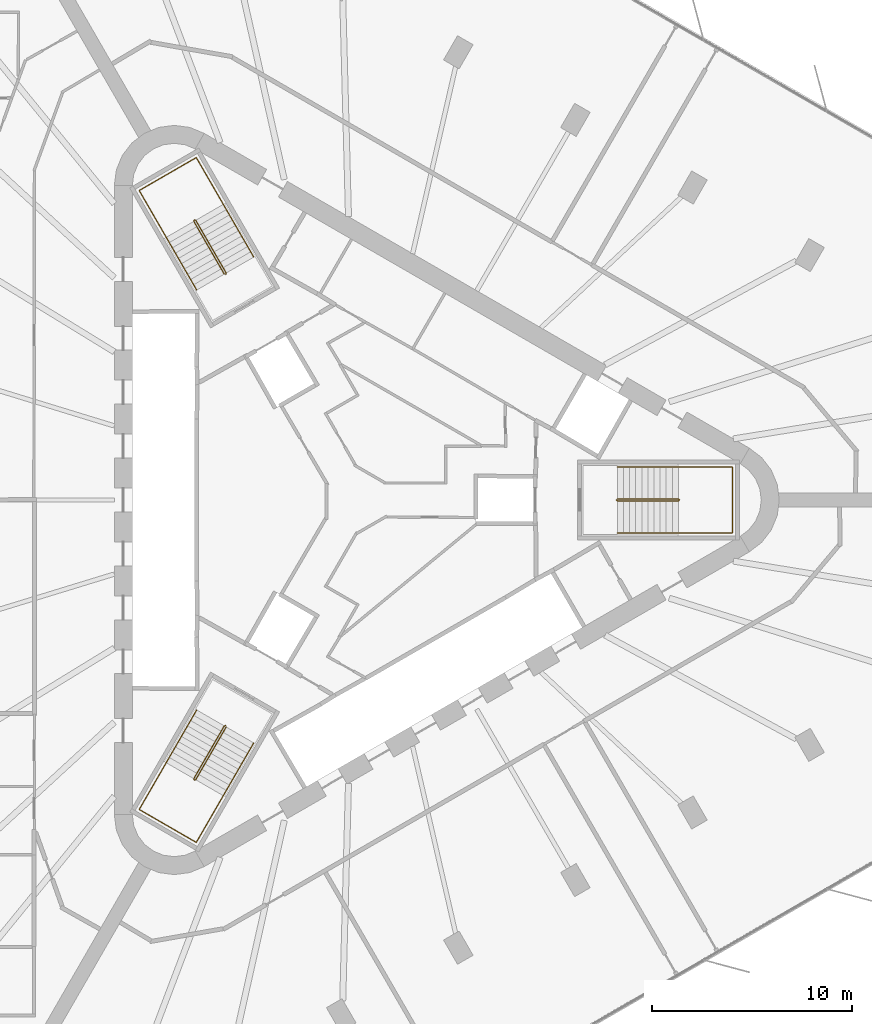
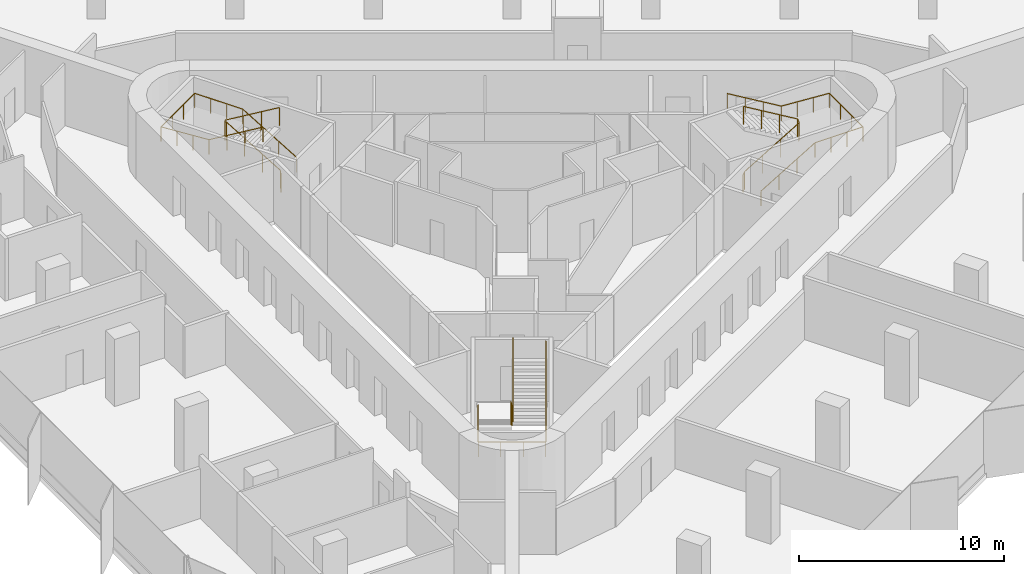
# One storey, part 14 of 14: 6 railings.
"""IFC4 building model written with IfcOpenShell, lengths in metres."""

from ifc_helpers import new_model, si_unit, direction, frame, origin, origin_2d, place, context, subcontext, project, spatial, circle, extrude, material, type_object, element, save


model = new_model("IFC4")

# Units and contexts
model_context = context("Model", 3, precision=1e-05, world=origin(), true_north=direction((0.0, 1.0)))
body_context = subcontext(model_context, "Body", "Model", "MODEL_VIEW")
ifc_project = project(units=[si_unit("LENGTHUNIT", "METRE"), si_unit("AREAUNIT", "SQUARE_METRE"), si_unit("VOLUMEUNIT", "CUBIC_METRE"), si_unit("PLANEANGLEUNIT", "RADIAN"), si_unit("MASSUNIT", "GRAM", prefix="KILO")], contexts=[model_context])

# Site, building, storey
site_placement = place(None, origin())
site = spatial("IfcSite", under=ifc_project, at=site_placement, CompositionType="ELEMENT")
building_placement = place(site_placement, origin())
building = spatial("IfcBuilding", under=site, at=building_placement, Name="Tanit Gate Tower", CompositionType="ELEMENT")
storey_placement = place(building_placement, frame((0.0, 0.0, 229.199951171875)))
storey = spatial("IfcBuildingStorey", under=building, at=storey_placement, Name="L51", CompositionType="ELEMENT", Elevation=229.199951171875)

# Railings
ifc_material_1 = material(Name="Stainless steel balustrade", Category="steel")
railing_type_1 = type_object("IfcRailingType", Name="INT-STAIR-GUARD", PredefinedType="GUARDRAIL", material=ifc_material_1)
railing_1_placement = place(storey_placement, frame((13.044921875, 0.0048828125, 0.0)))
element("IfcRailing", 1, at=railing_1_placement, inside=storey, type_object=railing_type_1, Name="L51 S1 stair guard 1", PredefinedType="GUARDRAIL", context=body_context, shape_type="SweptSolid", body=[
    extrude(circle(Radius=0.02392578125, at=origin_2d()), frame((0.0, 0.0, 1.076171875), z_axis=(0.0, -1.0, 0.0), x_axis=(1.0, 0.0, 0.0)), (0.0, 0.0, 1.0), 0.009765625),
    extrude(circle(Radius=0.02392578125, at=origin_2d()), frame((0.0, -0.009765625, 1.076171875), z_axis=(0.256435381639, -0.256435381639, 0.931923704005), x_axis=(0.707106781187, 0.707106781187, 0.0)), (0.0, 0.0, 1.0), 0.195068359375),
    extrude(circle(Radius=0.02392578125, at=origin_2d()), frame((0.050048828125, -0.059814453125, 1.2578125), z_axis=(0.859041732319, 0.0, 0.511905559781), x_axis=(0.0, 1.0, 0.0)), (0.0, 0.0, 1.0), 3.5517578125),
    extrude(circle(Radius=0.02392578125, at=origin_2d()), frame((3.10107421875, -0.059814453125, 3.076171875), z_axis=(0.707106781187, 0.707106781187, 0.0), x_axis=(-0.707106781187, 0.707106781187, 0.0)), (0.0, 0.0, 1.0), 0.07080078125),
    extrude(circle(Radius=0.02392578125, at=origin_2d()), frame((3.151123046875, -0.009765625, 3.076171875), z_axis=(0.0, 1.0, 0.0), x_axis=(-1.0, 0.0, 0.0)), (0.0, 0.0, 1.0), 0.009765625),
    extrude(circle(Radius=0.02392578125, at=origin_2d()), frame((3.151123046875, 0.0, 3.076171875), z_axis=(-0.256435381639, 0.256435381639, 0.931923704005), x_axis=(-0.707106781187, -0.707106781187, 0.0)), (0.0, 0.0, 1.0), 0.195068359375),
    extrude(circle(Radius=0.02392578125, at=origin_2d()), frame((3.10107421875, 0.050048828125, 3.2578125), z_axis=(-0.859041732319, 0.0, 0.511905559781), x_axis=(0.0, -1.0, 0.0)), (0.0, 0.0, 1.0), 3.5517578125),
    extrude(circle(Radius=0.02099609375, at=origin_2d()), origin(), (0.0, 0.0, 1.0), 1.052001953125),
    extrude(circle(Radius=0.02099609375, at=origin_2d()), frame((0.0, -0.009765625, 0.0)), (0.0, 0.0, 1.0), 1.052001953125),
    extrude(circle(Radius=0.02099609375, at=origin_2d()), frame((0.050048828125, -0.059814453125, 0.181884765625)), (0.0, 0.0, 1.0), 1.052001953125),
    extrude(circle(Radius=0.02099609375, at=origin_2d()), frame((1.067138671875, -0.059814453125, 0.787841796875)), (0.0, 0.0, 1.0), 1.052001953125),
    extrude(circle(Radius=0.02099609375, at=origin_2d()), frame((2.083984375, -0.059814453125, 1.39404296875)), (0.0, 0.0, 1.0), 1.052001953125),
    extrude(circle(Radius=0.02099609375, at=origin_2d()), frame((3.10107421875, -0.059814453125, 2.0)), (0.0, 0.0, 1.0), 1.052001953125),
    extrude(circle(Radius=0.02099609375, at=origin_2d()), frame((3.151123046875, -0.009765625, 2.0)), (0.0, 0.0, 1.0), 1.052001953125),
    extrude(circle(Radius=0.02099609375, at=origin_2d()), frame((3.151123046875, 0.0, 2.0)), (0.0, 0.0, 1.0), 1.052001953125),
    extrude(circle(Radius=0.02099609375, at=origin_2d()), frame((3.10107421875, 0.050048828125, 2.181884765625)), (0.0, 0.0, 1.0), 1.052001953125),
    extrude(circle(Radius=0.02099609375, at=origin_2d()), frame((2.083984375, 0.050048828125, 2.787841796875)), (0.0, 0.0, 1.0), 1.052001953125),
    extrude(circle(Radius=0.02099609375, at=origin_2d()), frame((1.067138671875, 0.050048828125, 3.39404296875)), (0.0, 0.0, 1.0), 1.052001953125),
    extrude(circle(Radius=0.02099609375, at=origin_2d()), frame((0.050048828125, 0.050048828125, 4.0)), (0.0, 0.0, 1.0), 1.052001953125),
])
railing_2_placement = place(storey_placement, frame((-6.527099609375, 11.29345703125, 0.0)))
element("IfcRailing", 2, at=railing_2_placement, inside=storey, type_object=railing_type_1, Name="L51 S2 stair guard 1", PredefinedType="GUARDRAIL", context=body_context, shape_type="SweptSolid", body=[
    extrude(circle(Radius=0.02392578125, at=origin_2d()), frame((0.0, 0.0, 1.076171875), z_axis=(0.868243142124, 0.496138938357, 0.0), x_axis=(-0.496138938357, 0.868243142124, 0.0)), (0.0, 0.0, 1.0), 0.01171875),
    extrude(circle(Radius=0.02392578125, at=origin_2d()), frame((0.01025390625, 0.005859375, 1.076171875), z_axis=(0.093819657636, 0.350260055175, 0.93194193252), x_axis=(-0.965948051503, 0.258736085224, 0.0)), (0.0, 0.0, 1.0), 0.195068359375),
    extrude(circle(Radius=0.02392578125, at=origin_2d()), frame((0.028564453125, 0.07421875, 1.2578125), z_axis=(-0.429472220917, 0.743822504634, 0.512134448226), x_axis=(-0.866012246495, -0.500022788402, 0.0)), (0.0, 0.0, 1.0), 3.550048828125),
    extrude(circle(Radius=0.02392578125, at=origin_2d()), frame((-1.49609375, 2.71484375, 3.076171875), z_axis=(-0.965715946433, 0.259601060869, 0.0), x_axis=(-0.259601060869, -0.965715946433, 0.0)), (0.0, 0.0, 1.0), 0.070556640625),
    extrude(circle(Radius=0.02392578125, at=origin_2d()), frame((-1.564208984375, 2.733154296875, 3.076171875), z_axis=(-0.873197702015, -0.487366159264, 0.0), x_axis=(0.487366159264, -0.873197702015, 0.0)), (0.0, 0.0, 1.0), 0.011962890625),
    extrude(circle(Radius=0.02392578125, at=origin_2d()), frame((-1.57470703125, 2.727294921875, 3.076171875), z_axis=(-0.093819657636, -0.350260055175, 0.93194193252), x_axis=(0.965948051503, -0.258736085224, 0.0)), (0.0, 0.0, 1.0), 0.195068359375),
    extrude(circle(Radius=0.02392578125, at=origin_2d()), frame((-1.593017578125, 2.658935546875, 3.2578125), z_axis=(0.429472220917, -0.743822504634, 0.512134448226), x_axis=(0.866012246495, 0.500022788402, 0.0)), (0.0, 0.0, 1.0), 3.550048828125),
    extrude(circle(Radius=0.02099609375, at=origin_2d()), origin(), (0.0, 0.0, 1.0), 1.052001953125),
    extrude(circle(Radius=0.02099609375, at=origin_2d()), frame((0.01025390625, 0.005859375, 0.0)), (0.0, 0.0, 1.0), 1.052001953125),
    extrude(circle(Radius=0.02099609375, at=origin_2d()), frame((0.028564453125, 0.07421875, 0.181884765625)), (0.0, 0.0, 1.0), 1.052001953125),
    extrude(circle(Radius=0.02099609375, at=origin_2d()), frame((-0.479736328125, 0.954345703125, 0.787841796875)), (0.0, 0.0, 1.0), 1.052001953125),
    extrude(circle(Radius=0.02099609375, at=origin_2d()), frame((-0.98779296875, 1.834716796875, 1.39404296875)), (0.0, 0.0, 1.0), 1.052001953125),
    extrude(circle(Radius=0.02099609375, at=origin_2d()), frame((-1.49609375, 2.71484375, 2.0)), (0.0, 0.0, 1.0), 1.052001953125),
    extrude(circle(Radius=0.02099609375, at=origin_2d()), frame((-1.564208984375, 2.733154296875, 2.0)), (0.0, 0.0, 1.0), 1.052001953125),
    extrude(circle(Radius=0.02099609375, at=origin_2d()), frame((-1.57470703125, 2.727294921875, 2.0)), (0.0, 0.0, 1.0), 1.052001953125),
    extrude(circle(Radius=0.02099609375, at=origin_2d()), frame((-1.593017578125, 2.658935546875, 2.181884765625)), (0.0, 0.0, 1.0), 1.052001953125),
    extrude(circle(Radius=0.02099609375, at=origin_2d()), frame((-1.084716796875, 1.77880859375, 2.787841796875)), (0.0, 0.0, 1.0), 1.052001953125),
    extrude(circle(Radius=0.02099609375, at=origin_2d()), frame((-0.57666015625, 0.8984375, 3.39404296875)), (0.0, 0.0, 1.0), 1.052001953125),
    extrude(circle(Radius=0.02099609375, at=origin_2d()), frame((-0.068359375, 0.018310546875, 4.0)), (0.0, 0.0, 1.0), 1.052001953125),
])
railing_3_placement = place(storey_placement, frame((-6.51806640625, -11.2998046875, 0.0)))
element("IfcRailing", 3, at=railing_3_placement, inside=storey, type_object=railing_type_1, Name="L51 S3 stair guard 1", PredefinedType="GUARDRAIL", context=body_context, shape_type="SweptSolid", body=[
    extrude(circle(Radius=0.02392578125, at=origin_2d()), frame((0.0, 0.0, 1.076171875), z_axis=(-0.874157276122, 0.485642931179, 0.0), x_axis=(-0.485642931179, -0.874157276122, 0.0)), (0.0, 0.0, 1.0), 0.010009765625),
    extrude(circle(Radius=0.02392578125, at=origin_2d()), frame((-0.0087890625, 0.0048828125, 1.076171875), z_axis=(-0.350300895388, -0.092579522353, 0.932050596658), x_axis=(0.255512919477, -0.966805641264, 0.0)), (0.0, 0.0, 1.0), 0.195068359375),
    extrude(circle(Radius=0.02392578125, at=origin_2d()), frame((-0.0771484375, -0.01318359375, 1.2578125), z_axis=(-0.429486674828, -0.743971555965, 0.511905772639), x_axis=(0.866048339477, -0.499960272111, 0.0)), (0.0, 0.0, 1.0), 3.5517578125),
    extrude(circle(Radius=0.02392578125, at=origin_2d()), frame((-1.6025390625, -2.655517578125, 3.076171875), z_axis=(0.258736085224, -0.965948051503, 0.0), x_axis=(0.965948051503, 0.258736085224, 0.0)), (0.0, 0.0, 1.0), 0.07080078125),
    extrude(circle(Radius=0.02392578125, at=origin_2d()), frame((-1.584228515625, -2.723876953125, 3.076171875), z_axis=(0.868243142124, -0.496138938357, 0.0), x_axis=(0.496138938357, 0.868243142124, 0.0)), (0.0, 0.0, 1.0), 0.009765625),
    extrude(circle(Radius=0.02392578125, at=origin_2d()), frame((-1.57568359375, -2.728759765625, 3.076171875), z_axis=(0.350260055175, 0.093819657636, 0.93194193252), x_axis=(-0.258736085224, 0.965948051503, 0.0)), (0.0, 0.0, 1.0), 0.195068359375),
    extrude(circle(Radius=0.02392578125, at=origin_2d()), frame((-1.50732421875, -2.71044921875, 3.2578125), z_axis=(0.429564698942, 0.743918894535, 0.511916836777), x_axis=(-0.865993683553, 0.500054937028, 0.0)), (0.0, 0.0, 1.0), 3.551513671875),
    extrude(circle(Radius=0.02099609375, at=origin_2d()), origin(), (0.0, 0.0, 1.0), 1.052001953125),
    extrude(circle(Radius=0.02099609375, at=origin_2d()), frame((-0.0087890625, 0.0048828125, 0.0)), (0.0, 0.0, 1.0), 1.052001953125),
    extrude(circle(Radius=0.02099609375, at=origin_2d()), frame((-0.0771484375, -0.01318359375, 0.181884765625)), (0.0, 0.0, 1.0), 1.052001953125),
    extrude(circle(Radius=0.02099609375, at=origin_2d()), frame((-0.585693359375, -0.89404296875, 0.787841796875)), (0.0, 0.0, 1.0), 1.052001953125),
    extrude(circle(Radius=0.02099609375, at=origin_2d()), frame((-1.093994140625, -1.774658203125, 1.39404296875)), (0.0, 0.0, 1.0), 1.052001953125),
    extrude(circle(Radius=0.02099609375, at=origin_2d()), frame((-1.6025390625, -2.655517578125, 2.0)), (0.0, 0.0, 1.0), 1.052001953125),
    extrude(circle(Radius=0.02099609375, at=origin_2d()), frame((-1.584228515625, -2.723876953125, 2.0)), (0.0, 0.0, 1.0), 1.052001953125),
    extrude(circle(Radius=0.02099609375, at=origin_2d()), frame((-1.57568359375, -2.728759765625, 2.0)), (0.0, 0.0, 1.0), 1.052001953125),
    extrude(circle(Radius=0.02099609375, at=origin_2d()), frame((-1.50732421875, -2.71044921875, 2.181884765625)), (0.0, 0.0, 1.0), 1.052001953125),
    extrude(circle(Radius=0.02099609375, at=origin_2d()), frame((-0.998779296875, -1.829833984375, 2.787841796875)), (0.0, 0.0, 1.0), 1.052001953125),
    extrude(circle(Radius=0.02099609375, at=origin_2d()), frame((-0.490234375, -0.948974609375, 3.39404296875)), (0.0, 0.0, 1.0), 1.052001953125),
    extrude(circle(Radius=0.02099609375, at=origin_2d()), frame((0.018310546875, -0.068359375, 4.0)), (0.0, 0.0, 1.0), 1.052001953125),
])
ifc_material_2 = material(Name="Stainless steel handrail", Category="steel")
railing_type_2 = type_object("IfcRailingType", Name="INT-STAIR-HANDRAIL", PredefinedType="HANDRAIL", material=ifc_material_2)
railing_4_placement = place(storey_placement, frame((13.094970703125, -1.64990234375, 0.181884765625)))
element("IfcRailing", 4, at=railing_4_placement, inside=storey, type_object=railing_type_2, Name="L51 S1 stair handrail 1", PredefinedType="HANDRAIL", context=body_context, shape_type="SweptSolid", body=[
    extrude(circle(Radius=0.02392578125, at=origin_2d()), frame((0.0, 0.0, 0.8759765625), z_axis=(0.859041732319, 0.0, 0.511905559781), x_axis=(0.0, 1.0, 0.0)), (0.0, 0.0, 1.0), 3.5517578125),
    extrude(circle(Radius=0.02392578125, at=origin_2d()), frame((3.051025390625, 0.0, 2.69384765625), z_axis=(1.0, 0.0, 0.0), x_axis=(0.0, 1.0, 0.0)), (0.0, 0.0, 1.0), 2.7041015625),
    extrude(circle(Radius=0.02392578125, at=origin_2d()), frame((5.755126953125, 0.0, 2.69384765625), z_axis=(0.0, 1.0, 0.0), x_axis=(-1.0, 0.0, 0.0)), (0.0, 0.0, 1.0), 3.2998046875),
    extrude(circle(Radius=0.02392578125, at=origin_2d()), frame((5.755126953125, 3.2998046875, 2.69384765625), z_axis=(-0.997745521698, 0.0, 0.067110907698), x_axis=(0.0, -1.0, 0.0)), (0.0, 0.0, 1.0), 2.710205078125),
    extrude(circle(Radius=0.02392578125, at=origin_2d()), frame((3.051025390625, 3.2998046875, 2.8759765625), z_axis=(-0.859041732319, 0.0, 0.511905559781), x_axis=(0.0, -1.0, 0.0)), (0.0, 0.0, 1.0), 3.5517578125),
    extrude(circle(Radius=0.02099609375, at=origin_2d()), origin(), (0.0, 0.0, 1.0), 0.851806640625),
    extrude(circle(Radius=0.02099609375, at=origin_2d()), frame((1.01708984375, 0.0, 0.60595703125)), (0.0, 0.0, 1.0), 0.851806640625),
    extrude(circle(Radius=0.02099609375, at=origin_2d()), frame((2.033935546875, 0.0, 1.212158203125)), (0.0, 0.0, 1.0), 0.851806640625),
    extrude(circle(Radius=0.02099609375, at=origin_2d()), frame((3.051025390625, 0.0, 1.818115234375)), (0.0, 0.0, 1.0), 0.851806640625),
    extrude(circle(Radius=0.02099609375, at=origin_2d()), frame((3.952392578125, 0.0, 1.818115234375)), (0.0, 0.0, 1.0), 0.851806640625),
    extrude(circle(Radius=0.02099609375, at=origin_2d()), frame((4.853759765625, 0.0, 1.818115234375)), (0.0, 0.0, 1.0), 0.851806640625),
    extrude(circle(Radius=0.02099609375, at=origin_2d()), frame((5.755126953125, 0.0, 1.818115234375)), (0.0, 0.0, 1.0), 0.851806640625),
    extrude(circle(Radius=0.02099609375, at=origin_2d()), frame((5.755126953125, 1.099853515625, 1.818115234375)), (0.0, 0.0, 1.0), 0.851806640625),
    extrude(circle(Radius=0.02099609375, at=origin_2d()), frame((5.755126953125, 2.199951171875, 1.818115234375)), (0.0, 0.0, 1.0), 0.851806640625),
    extrude(circle(Radius=0.02099609375, at=origin_2d()), frame((5.755126953125, 3.2998046875, 1.818115234375)), (0.0, 0.0, 1.0), 0.851806640625),
    extrude(circle(Radius=0.02099609375, at=origin_2d()), frame((4.853759765625, 3.2998046875, 1.878662109375)), (0.0, 0.0, 1.0), 0.851806640625),
    extrude(circle(Radius=0.02099609375, at=origin_2d()), frame((3.952392578125, 3.2998046875, 1.939453125)), (0.0, 0.0, 1.0), 0.851806640625),
    extrude(circle(Radius=0.02099609375, at=origin_2d()), frame((3.051025390625, 3.2998046875, 2.0)), (0.0, 0.0, 1.0), 0.851806640625),
    extrude(circle(Radius=0.02099609375, at=origin_2d()), frame((2.033935546875, 3.2998046875, 2.60595703125)), (0.0, 0.0, 1.0), 0.851806640625),
    extrude(circle(Radius=0.02099609375, at=origin_2d()), frame((1.01708984375, 3.2998046875, 3.212158203125)), (0.0, 0.0, 1.0), 0.851806640625),
    extrude(circle(Radius=0.02099609375, at=origin_2d()), frame((0.0, 3.2998046875, 3.818115234375)), (0.0, 0.0, 1.0), 0.851806640625),
])
railing_5_placement = place(storey_placement, frame((-5.1181640625, 12.164794921875, 0.181884765625)))
element("IfcRailing", 5, at=railing_5_placement, inside=storey, type_object=railing_type_2, Name="L51 S2 stair handrail 1", PredefinedType="HANDRAIL", context=body_context, shape_type="SweptSolid", body=[
    extrude(circle(Radius=0.02392578125, at=origin_2d()), frame((0.0, 0.0, 0.8759765625), z_axis=(-0.429416132344, 0.743844472684, 0.512149573602), x_axis=(-0.866046917185, -0.499962735845, 0.0)), (0.0, 0.0, 1.0), 3.550048828125),
    extrude(circle(Radius=0.02392578125, at=origin_2d()), frame((-1.5244140625, 2.640625, 2.69384765625), z_axis=(-0.500019123664, 0.86601436245, 0.0), x_axis=(-0.86601436245, -0.500019123664, 0.0)), (0.0, 0.0, 1.0), 2.70703125),
    extrude(circle(Radius=0.02392578125, at=origin_2d()), frame((-2.8779296875, 4.98486328125, 2.69384765625), z_axis=(-0.866008176907, -0.50002983664, 0.0), x_axis=(0.50002983664, -0.866008176907, 0.0)), (0.0, 0.0, 1.0), 3.300048828125),
    extrude(circle(Radius=0.02392578125, at=origin_2d()), frame((-5.73583984375, 3.334716796875, 2.69384765625), z_axis=(0.498932980467, -0.864043208057, 0.067046369128), x_axis=(0.865991810323, 0.500058181068, 0.0)), (0.0, 0.0, 1.0), 2.712890625),
    extrude(circle(Radius=0.02392578125, at=origin_2d()), frame((-4.38232421875, 0.99072265625, 2.8759765625), z_axis=(0.429450252752, -0.743853224023, 0.512108251761), x_axis=(0.866032263162, 0.499988119021, 0.0)), (0.0, 0.0, 1.0), 3.55029296875),
    extrude(circle(Radius=0.02099609375, at=origin_2d()), origin(), (0.0, 0.0, 1.0), 0.851806640625),
    extrude(circle(Radius=0.02099609375, at=origin_2d()), frame((-0.508056640625, 0.880126953125, 0.60595703125)), (0.0, 0.0, 1.0), 0.851806640625),
    extrude(circle(Radius=0.02099609375, at=origin_2d()), frame((-1.016357421875, 1.760498046875, 1.212158203125)), (0.0, 0.0, 1.0), 0.851806640625),
    extrude(circle(Radius=0.02099609375, at=origin_2d()), frame((-1.5244140625, 2.640625, 1.818115234375)), (0.0, 0.0, 1.0), 0.851806640625),
    extrude(circle(Radius=0.02099609375, at=origin_2d()), frame((-1.9755859375, 3.422119140625, 1.818115234375)), (0.0, 0.0, 1.0), 0.851806640625),
    extrude(circle(Radius=0.02099609375, at=origin_2d()), frame((-2.4267578125, 4.203369140625, 1.818115234375)), (0.0, 0.0, 1.0), 0.851806640625),
    extrude(circle(Radius=0.02099609375, at=origin_2d()), frame((-2.8779296875, 4.98486328125, 1.818115234375)), (0.0, 0.0, 1.0), 0.851806640625),
    extrude(circle(Radius=0.02099609375, at=origin_2d()), frame((-3.83056640625, 4.434814453125, 1.818115234375)), (0.0, 0.0, 1.0), 0.851806640625),
    extrude(circle(Radius=0.02099609375, at=origin_2d()), frame((-4.783203125, 3.884765625, 1.818115234375)), (0.0, 0.0, 1.0), 0.851806640625),
    extrude(circle(Radius=0.02099609375, at=origin_2d()), frame((-5.73583984375, 3.334716796875, 1.818115234375)), (0.0, 0.0, 1.0), 0.851806640625),
    extrude(circle(Radius=0.02099609375, at=origin_2d()), frame((-5.28466796875, 2.553466796875, 1.878662109375)), (0.0, 0.0, 1.0), 0.851806640625),
    extrude(circle(Radius=0.02099609375, at=origin_2d()), frame((-4.83349609375, 1.77197265625, 1.939453125)), (0.0, 0.0, 1.0), 0.851806640625),
    extrude(circle(Radius=0.02099609375, at=origin_2d()), frame((-4.38232421875, 0.99072265625, 2.0)), (0.0, 0.0, 1.0), 0.851806640625),
    extrude(circle(Radius=0.02099609375, at=origin_2d()), frame((-3.8740234375, 0.1103515625, 2.60595703125)), (0.0, 0.0, 1.0), 0.851806640625),
    extrude(circle(Radius=0.02099609375, at=origin_2d()), frame((-3.365966796875, -0.769775390625, 3.212158203125)), (0.0, 0.0, 1.0), 0.851806640625),
    extrude(circle(Radius=0.02099609375, at=origin_2d()), frame((-2.857666015625, -1.650146484375, 3.818115234375)), (0.0, 0.0, 1.0), 0.851806640625),
])
railing_6_placement = place(storey_placement, frame((-7.9765625, -10.515625, 0.181884765625)))
element("IfcRailing", 6, at=railing_6_placement, inside=storey, type_object=railing_type_2, Name="L51 S3 stair handrail 1", PredefinedType="HANDRAIL", context=body_context, shape_type="SweptSolid", body=[
    extrude(circle(Radius=0.02392578125, at=origin_2d()), frame((0.0, 0.0, 0.8759765625), z_axis=(-0.429486674828, -0.743971555965, 0.511905772639), x_axis=(0.866048339477, -0.499960272111, 0.0)), (0.0, 0.0, 1.0), 3.5517578125),
    extrude(circle(Radius=0.02392578125, at=origin_2d()), frame((-1.525390625, -2.642333984375, 2.69384765625), z_axis=(-0.50004290449, -0.866000631449, 0.0), x_axis=(0.866000631449, -0.50004290449, 0.0)), (0.0, 0.0, 1.0), 2.703857421875),
    extrude(circle(Radius=0.02392578125, at=origin_2d()), frame((-2.87744140625, -4.98388671875, 2.69384765625), z_axis=(0.866008176907, -0.50002983664, 0.0), x_axis=(0.50002983664, 0.866008176907, 0.0)), (0.0, 0.0, 1.0), 3.300048828125),
    extrude(circle(Radius=0.02392578125, at=origin_2d()), frame((-0.01953125, -6.634033203125, 2.69384765625), z_axis=(0.498876541924, 0.864070745781, 0.067111416348), x_axis=(-0.866023205937, 0.500003806764, 0.0)), (0.0, 0.0, 1.0), 2.710205078125),
    extrude(circle(Radius=0.02392578125, at=origin_2d()), frame((1.33251953125, -4.292236328125, 2.8759765625), z_axis=(0.429486674828, 0.743971555965, 0.511905772639), x_axis=(-0.866048339477, 0.499960272111, 0.0)), (0.0, 0.0, 1.0), 3.5517578125),
    extrude(circle(Radius=0.02099609375, at=origin_2d()), origin(), (0.0, 0.0, 1.0), 0.851806640625),
    extrude(circle(Radius=0.02099609375, at=origin_2d()), frame((-0.508544921875, -0.880859375, 0.60595703125)), (0.0, 0.0, 1.0), 0.851806640625),
    extrude(circle(Radius=0.02099609375, at=origin_2d()), frame((-1.016845703125, -1.761474609375, 1.212158203125)), (0.0, 0.0, 1.0), 0.851806640625),
    extrude(circle(Radius=0.02099609375, at=origin_2d()), frame((-1.525390625, -2.642333984375, 1.818115234375)), (0.0, 0.0, 1.0), 0.851806640625),
    extrude(circle(Radius=0.02099609375, at=origin_2d()), frame((-1.97607421875, -3.4228515625, 1.818115234375)), (0.0, 0.0, 1.0), 0.851806640625),
    extrude(circle(Radius=0.02099609375, at=origin_2d()), frame((-2.4267578125, -4.203369140625, 1.818115234375)), (0.0, 0.0, 1.0), 0.851806640625),
    extrude(circle(Radius=0.02099609375, at=origin_2d()), frame((-2.87744140625, -4.98388671875, 1.818115234375)), (0.0, 0.0, 1.0), 0.851806640625),
    extrude(circle(Radius=0.02099609375, at=origin_2d()), frame((-1.9248046875, -5.533935546875, 1.818115234375)), (0.0, 0.0, 1.0), 0.851806640625),
    extrude(circle(Radius=0.02099609375, at=origin_2d()), frame((-0.97216796875, -6.083984375, 1.818115234375)), (0.0, 0.0, 1.0), 0.851806640625),
    extrude(circle(Radius=0.02099609375, at=origin_2d()), frame((-0.01953125, -6.634033203125, 1.818115234375)), (0.0, 0.0, 1.0), 0.851806640625),
    extrude(circle(Radius=0.02099609375, at=origin_2d()), frame((0.43115234375, -5.853515625, 1.878662109375)), (0.0, 0.0, 1.0), 0.851806640625),
    extrude(circle(Radius=0.02099609375, at=origin_2d()), frame((0.8818359375, -5.07275390625, 1.939453125)), (0.0, 0.0, 1.0), 0.851806640625),
    extrude(circle(Radius=0.02099609375, at=origin_2d()), frame((1.33251953125, -4.292236328125, 2.0)), (0.0, 0.0, 1.0), 0.851806640625),
    extrude(circle(Radius=0.02099609375, at=origin_2d()), frame((1.841064453125, -3.411376953125, 2.60595703125)), (0.0, 0.0, 1.0), 0.851806640625),
    extrude(circle(Radius=0.02099609375, at=origin_2d()), frame((2.349365234375, -2.53076171875, 3.212158203125)), (0.0, 0.0, 1.0), 0.851806640625),
    extrude(circle(Radius=0.02099609375, at=origin_2d()), frame((2.85791015625, -1.64990234375, 3.818115234375)), (0.0, 0.0, 1.0), 0.851806640625),
])

save(model, "model.ifc")
